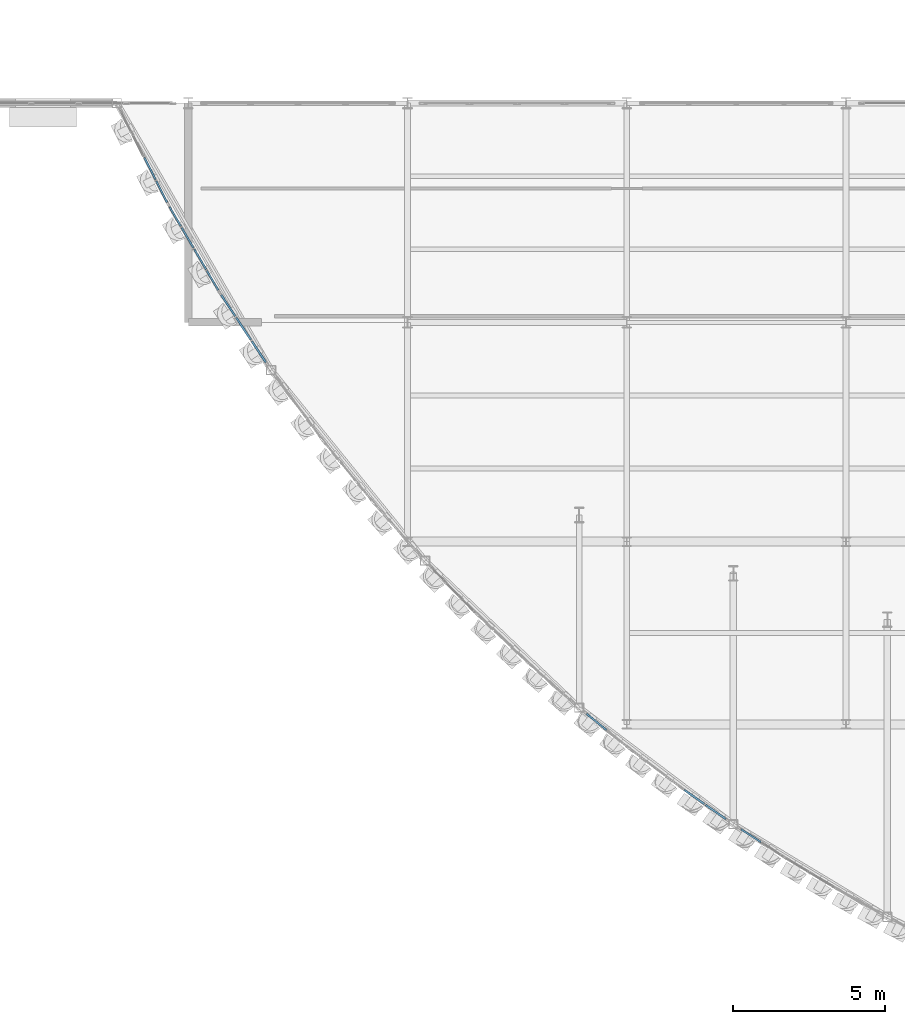
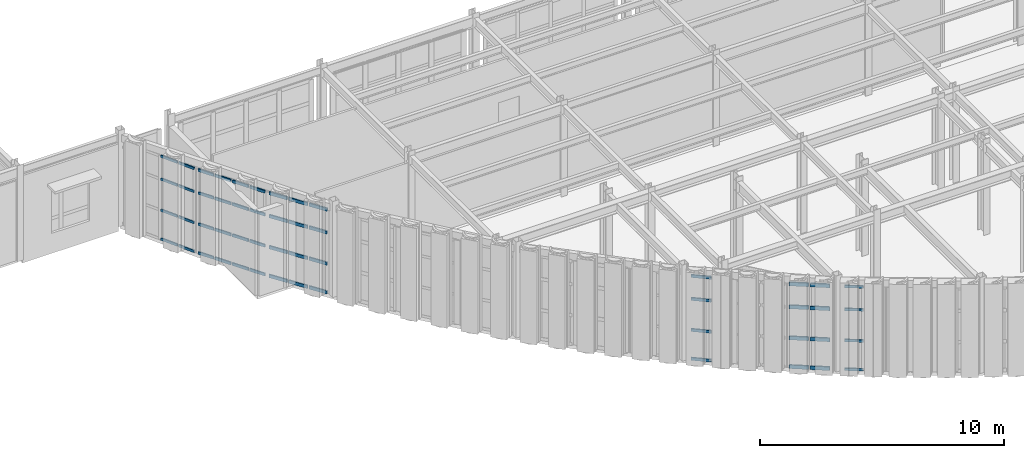
# One storey, part 64 of 121: 52 members, 6 elements without a shape of their own.
"""IFC4 building model written with IfcOpenShell, lengths in metres."""

import ifcopenshell
import ifcopenshell.guid

model = None  # the IFC model being written
_history = None  # IfcOwnerHistory: only IFC2X3 demands one
_inside = {}  # id of a spatial element -> (the spatial element, [elements in it])
_under = {}  # id of a project, library or spatial element -> (it, [spatial elements below it])
_declared = {}  # id of a project -> (the project, [libraries it declares])
_typed = {}  # id of a type object -> (the type object, [elements of that type])
_made_of = {}  # id of a material, layer set ... -> (it, [elements and type objects made of it])


def new_model(schema):
    """Start an empty IFC model of exactly this schema.

    Asked for "IFC4X3", IfcOpenShell would pick the latest addendum, in which some entities
    have other attributes; the version numbers below select the first issue.
    IFC2X3 requires an IfcOwnerHistory on every rooted entity: one is made here for all.
    """
    global model, _history
    if schema == "IFC4X3":
        model = ifcopenshell.file(schema_version=(4, 3, 0, 0))
    else:
        model = ifcopenshell.file(schema=schema)
    _inside.clear()
    _under.clear()
    _declared.clear()
    _typed.clear()
    _made_of.clear()
    _history = None
    if model.schema == "IFC2X3":
        org = make("IfcOrganization", Name="unknown")
        user = make(
            "IfcPersonAndOrganization",
            ThePerson=make("IfcPerson", FamilyName="unknown"),
            TheOrganization=org,
        )
        app = make(
            "IfcApplication",
            ApplicationDeveloper=org,
            Version="unknown",
            ApplicationFullName="unknown",
            ApplicationIdentifier="unknown",
        )
        _history = make(
            "IfcOwnerHistory",
            OwningUser=user,
            OwningApplication=app,
            ChangeAction="ADDED",
            CreationDate=0,
        )
    return model


def make(cls, **values):
    """One entity of the class cls with the attributes given. An attribute that is None is left unset."""
    return model.create_entity(
        cls, **{name: value for name, value in values.items() if value is not None}
    )


def rooted(cls, **values):
    """An entity with a GlobalId (a new one), such as an element, a storey or a relation."""
    return make(cls, GlobalId=ifcopenshell.guid.new(), OwnerHistory=_history, **values)


def si_unit(unit_type, name, prefix=None):
    """IfcSIUnit, for example si_unit("LENGTHUNIT", "METRE", prefix="MILLI")."""
    return make("IfcSIUnit", UnitType=unit_type, Prefix=prefix, Name=name)


def assignment(units):
    """IfcUnitAssignment: the units of a project."""
    return None if units is None else make("IfcUnitAssignment", Units=units)


def point(xyz):
    """IfcCartesianPoint."""
    return None if xyz is None else make("IfcCartesianPoint", Coordinates=xyz)


def direction(xyz):
    """IfcDirection."""
    return None if xyz is None else make("IfcDirection", DirectionRatios=xyz)


def frame(location, z_axis=None, x_axis=None):
    """IfcAxis2Placement3D, a coordinate frame: its origin and axes. An axis left out is left unset."""
    return make(
        "IfcAxis2Placement3D",
        Location=point(location),
        Axis=direction(z_axis),
        RefDirection=direction(x_axis),
    )


def frame_2d(location, x_axis=None):
    """IfcAxis2Placement2D, a coordinate frame in the plane: its origin and x axis."""
    return make(
        "IfcAxis2Placement2D", Location=point(location), RefDirection=direction(x_axis)
    )


def origin():
    """The frame at (0, 0, 0) with its axes left unset."""
    return frame((0.0, 0.0, 0.0))


def origin_2d():
    """The frame at (0, 0) in the plane with its x axis left unset."""
    return frame_2d((0.0, 0.0))


def place(relative_to, where):
    """IfcLocalPlacement: puts the frame where relative to a parent placement (None: the world)."""
    return make(
        "IfcLocalPlacement", PlacementRelTo=relative_to, RelativePlacement=where
    )


def context(
    kind, dimensions, precision=None, world=None, true_north=None, identifier=None
):
    """IfcGeometricRepresentationContext, for example the 3D "Model" context."""
    return make(
        "IfcGeometricRepresentationContext",
        ContextIdentifier=identifier,
        ContextType=kind,
        CoordinateSpaceDimension=dimensions,
        Precision=precision,
        WorldCoordinateSystem=world,
        TrueNorth=true_north,
    )


def subcontext(parent, identifier, kind, view, scale=None):
    """IfcGeometricRepresentationSubContext, for example "Body" below "Model"."""
    return make(
        "IfcGeometricRepresentationSubContext",
        ContextIdentifier=identifier,
        ContextType=kind,
        ParentContext=parent,
        TargetScale=scale,
        TargetView=view,
    )


def project(units=None, contexts=None):
    """IfcProject with its units and contexts."""
    return rooted(
        "IfcProject",
        Name="project",
        RepresentationContexts=contexts,
        UnitsInContext=assignment(units),
    )


def spatial(cls, under=None, at=None, **own):
    """A site, building, storey or space (cls), placed at a placement, below another one or the project."""
    s = rooted(cls, ObjectPlacement=at, **own)
    if under is not None:
        _under.setdefault(under.id(), (under, []))[1].append(s)
    return s


def profile(cls, at=None, kind="AREA", **sizes):
    """A parametric profile (cls). Its sizes go by their IFC names, for example OverallWidth=200.0."""
    return make(cls, ProfileType=kind, Position=at, **sizes)


def hollow_rectangle(**sizes):
    """IfcRectangleHollowProfileDef."""
    return profile("IfcRectangleHollowProfileDef", **sizes)


def extrude(swept, where, along, depth):
    """IfcExtrudedAreaSolid: the profile swept, set in the frame where, extruded along a direction by depth."""
    return make(
        "IfcExtrudedAreaSolid",
        SweptArea=swept,
        Position=where,
        ExtrudedDirection=direction(along),
        Depth=depth,
    )


def shape(context_of_items, identifier, shape_type, items):
    """IfcShapeRepresentation: the items that make up one representation, for example the "Body"."""
    return make(
        "IfcShapeRepresentation",
        ContextOfItems=context_of_items,
        RepresentationIdentifier=identifier,
        RepresentationType=shape_type,
        Items=items,
    )


def material(Name=None, Category=None):
    """IfcMaterial."""
    return make("IfcMaterial", Name=Name, Category=Category)


def layer(
    of_material, thickness, ventilated=None, Name=None, Category=None, Priority=None
):
    """IfcMaterialLayer: one layer of a wall or slab, of a material (None: an air gap)."""
    return make(
        "IfcMaterialLayer",
        Material=of_material,
        LayerThickness=thickness,
        IsVentilated=ventilated,
        Name=Name,
        Category=Category,
        Priority=Priority,
    )


def layer_set(layers, Name=None):
    """IfcMaterialLayerSet."""
    return make("IfcMaterialLayerSet", MaterialLayers=layers, LayerSetName=Name)


def material_profile(
    of_material, cross_section, Name=None, Category=None, Priority=None
):
    """IfcMaterialProfile: a cross section and its material."""
    return make(
        "IfcMaterialProfile",
        Name=Name,
        Material=of_material,
        Profile=cross_section,
        Priority=Priority,
        Category=Category,
    )


def profile_set(profiles, Name=None, composite=None):
    """IfcMaterialProfileSet."""
    return make(
        "IfcMaterialProfileSet",
        Name=Name,
        MaterialProfiles=profiles,
        CompositeProfile=composite,
    )


def made_of(thing, what):
    """Note that an element or type object is made of a material, layer set ...; save() writes the relation."""
    if what is not None:
        _made_of.setdefault(what.id(), (what, []))[1].append(thing)
    return thing


def type_object(cls, material=None, **own):
    """A type object (cls), such as IfcWallType, which elements share."""
    return made_of(rooted(cls, **own), material)


def element(
    cls,
    number,
    at=None,
    inside=None,
    cuts=None,
    type_object=None,
    material=None,
    context=None,
    identifier="Body",
    shape_type=None,
    held_by="IfcProductDefinitionShape",
    body=None,
    shapes=None,
    **own,
):
    """One element of the class cls, such as IfcWall. Its Tag is "e" and its number.

    at: its placement. inside: the storey or other place that contains it. cuts: it is an
    opening in that element (IfcRelVoidsElement). A single representation is given by context,
    identifier, shape_type and body (its items); several are given by shapes. held_by: the class
    of the entity that holds the representations. save() writes the other relations.
    """
    e = rooted(cls, Tag="e%d" % number, ObjectPlacement=at, **own)
    if body is not None:
        shapes = [shape(context, identifier, shape_type, body)]
    if shapes is not None:
        e.Representation = make(held_by, Representations=shapes)
    if inside is not None:
        _inside.setdefault(inside.id(), (inside, []))[1].append(e)
    if cuts is not None:
        rooted(
            "IfcRelVoidsElement", RelatingBuildingElement=cuts, RelatedOpeningElement=e
        )
    if type_object is not None:
        _typed.setdefault(type_object.id(), (type_object, []))[1].append(e)
    return made_of(e, material)


def aggregate(whole, parts):
    """IfcRelAggregates: a whole, such as a stair, and the parts it consists of."""
    return rooted("IfcRelAggregates", RelatingObject=whole, RelatedObjects=parts)


def save(model, path):
    """Write the relations noted so far, then the file.

    IfcRelAggregates (storeys below a building ...), IfcRelContainedInSpatialStructure (elements
    in a storey), IfcRelDefinesByType, IfcRelAssociatesMaterial and IfcRelDeclares: one each for
    every whole, place, type object, material and project.
    """
    for whole, parts in _under.values():
        aggregate(whole, parts)
    for where, things in _inside.values():
        rooted(
            "IfcRelContainedInSpatialStructure",
            RelatedElements=things,
            RelatingStructure=where,
        )
    for kind, things in _typed.values():
        rooted("IfcRelDefinesByType", RelatedObjects=things, RelatingType=kind)
    for what, things in _made_of.values():
        rooted("IfcRelAssociatesMaterial", RelatedObjects=things, RelatingMaterial=what)
    for by, libraries in _declared.values():
        rooted("IfcRelDeclares", RelatingContext=by, RelatedDefinitions=libraries)
    model.write(path)


model = new_model("IFC4")

# Units and contexts
model_context = context("Model", 3, precision=1e-05, world=origin(), true_north=direction((0.0, 1.0)))
body_context = subcontext(model_context, "Body", "Model", "MODEL_VIEW")
ifc_project = project(units=[si_unit("LENGTHUNIT", "METRE"), si_unit("AREAUNIT", "SQUARE_METRE"), si_unit("VOLUMEUNIT", "CUBIC_METRE"), si_unit("PLANEANGLEUNIT", "RADIAN"), si_unit("MASSUNIT", "GRAM", prefix="KILO")], contexts=[model_context])

# Site, building, storey
site_placement = place(None, origin())
site = spatial("IfcSite", under=ifc_project, at=site_placement, CompositionType="ELEMENT")
building_placement = place(site_placement, origin())
building = spatial("IfcBuilding", under=site, at=building_placement, Name="Solvadek Multi-Sports Hall", CompositionType="ELEMENT")
storey_placement = place(building_placement, frame((0.0, 0.0, 4.800048828125)))
storey = spatial("IfcBuildingStorey", under=building, at=storey_placement, Name="L01", CompositionType="ELEMENT", Elevation=4.800048828125)

# Curtain wall, members
ifc_material = material(Name="Anodised aluminium", Category="aluminium")
ifc_layer_1 = layer(ifc_material, 0.159912109375, Name="Anodised aluminium")
ifc_layer_set_1 = layer_set([ifc_layer_1], Name="Anodised aluminium")
curtain_wall_type_1 = type_object("IfcCurtainWallType", Name="ENV-CW-347X420", PredefinedType="USERDEFINED", material=ifc_layer_set_1)
curtain_wall_1_placement = place(storey_placement, origin())
curtain_wall_1 = element("IfcCurtainWall", 1, at=curtain_wall_1_placement, inside=storey, type_object=curtain_wall_type_1, Name="L01 Crescent Curved Curtain Wall #1", ObjectType="CURTAIN WALL", PredefinedType="USERDEFINED")
ifc_material_profile_1 = material_profile(ifc_material, hollow_rectangle(XDim=0.06005859375, YDim=0.1201171875, WallThickness=0.00390625, at=origin_2d()), Name="ALU-T 120x60x4")
ifc_profile_set_1 = profile_set([ifc_material_profile_1], Name="Anodised aluminium")
member_type_1 = type_object("IfcMemberType", Name="ENV-CWT-01", PredefinedType="USERDEFINED", material=ifc_profile_set_1)
member_1_placement = place(storey_placement, frame((27.359130859375, 18.61279296875, 0.030029296875), z_axis=(0.451447516904, -0.892297674255, 0.0), x_axis=(0.892297674255, 0.451447516904, 0.0)))
member_1 = element("IfcMember", 2, at=member_1_placement, type_object=member_type_1, Name="CW-01 transom 3.1", ObjectType="TRANSOM", PredefinedType="USERDEFINED", context=body_context, shape_type="SweptSolid", body=[
    extrude(hollow_rectangle(XDim=0.06005859375, YDim=0.1201171875, WallThickness=0.00390625, at=origin_2d()), origin(), (0.0, 0.0, 1.0), 0.806396484375),
])
member_2_placement = place(storey_placement, frame((27.359130859375, 18.61279296875, 1.469970703125), z_axis=(0.451447516904, -0.892297674255, 0.0), x_axis=(0.892297674255, 0.451447516904, 0.0)))
member_2 = element("IfcMember", 3, at=member_2_placement, type_object=member_type_1, Name="CW-01 transom 3.2", ObjectType="TRANSOM", PredefinedType="USERDEFINED", context=body_context, shape_type="SweptSolid", body=[
    extrude(hollow_rectangle(XDim=0.06005859375, YDim=0.1201171875, WallThickness=0.00390625, at=origin_2d()), origin(), (0.0, 0.0, 1.0), 0.806396484375),
])
member_3_placement = place(storey_placement, frame((27.359130859375, 18.61279296875, 3.02392578125), z_axis=(0.451447516904, -0.892297674255, 0.0), x_axis=(0.892297674255, 0.451447516904, 0.0)))
member_3 = element("IfcMember", 4, at=member_3_placement, type_object=member_type_1, Name="CW-01 transom 3.3", ObjectType="TRANSOM", PredefinedType="USERDEFINED", context=body_context, shape_type="SweptSolid", body=[
    extrude(hollow_rectangle(XDim=0.06005859375, YDim=0.1201171875, WallThickness=0.00390625, at=origin_2d()), origin(), (0.0, 0.0, 1.0), 0.806396484375),
])
member_4_placement = place(storey_placement, frame((27.359130859375, 18.61279296875, 4.169921875), z_axis=(0.451447516904, -0.892297674255, 0.0), x_axis=(0.892297674255, 0.451447516904, 0.0)))
member_4 = element("IfcMember", 5, at=member_4_placement, type_object=member_type_1, Name="CW-01 transom 3.4", ObjectType="TRANSOM", PredefinedType="USERDEFINED", context=body_context, shape_type="SweptSolid", body=[
    extrude(hollow_rectangle(XDim=0.06005859375, YDim=0.1201171875, WallThickness=0.00390625, at=origin_2d()), origin(), (0.0, 0.0, 1.0), 0.806396484375),
])
member_5_placement = place(storey_placement, frame((27.750244140625, 17.83984375, 0.030029296875), z_axis=(0.451484381787, -0.892279021944, 0.0), x_axis=(0.892279021944, 0.451484381787, 0.0)))
member_5 = element("IfcMember", 6, at=member_5_placement, type_object=member_type_1, Name="CW-01 transom 4.1", ObjectType="TRANSOM", PredefinedType="USERDEFINED", context=body_context, shape_type="SweptSolid", body=[
    extrude(hollow_rectangle(XDim=0.06005859375, YDim=0.1201171875, WallThickness=0.00390625, at=origin_2d()), origin(), (0.0, 0.0, 1.0), 0.776611328125),
])
member_6_placement = place(storey_placement, frame((27.750244140625, 17.83984375, 1.469970703125), z_axis=(0.451484381787, -0.892279021944, 0.0), x_axis=(0.892279021944, 0.451484381787, 0.0)))
member_6 = element("IfcMember", 7, at=member_6_placement, type_object=member_type_1, Name="CW-01 transom 4.2", ObjectType="TRANSOM", PredefinedType="USERDEFINED", context=body_context, shape_type="SweptSolid", body=[
    extrude(hollow_rectangle(XDim=0.06005859375, YDim=0.1201171875, WallThickness=0.00390625, at=origin_2d()), origin(), (0.0, 0.0, 1.0), 0.776611328125),
])
member_7_placement = place(storey_placement, frame((27.750244140625, 17.83984375, 3.02392578125), z_axis=(0.451484381787, -0.892279021944, 0.0), x_axis=(0.892279021944, 0.451484381787, 0.0)))
member_7 = element("IfcMember", 8, at=member_7_placement, type_object=member_type_1, Name="CW-01 transom 4.3", ObjectType="TRANSOM", PredefinedType="USERDEFINED", context=body_context, shape_type="SweptSolid", body=[
    extrude(hollow_rectangle(XDim=0.06005859375, YDim=0.1201171875, WallThickness=0.00390625, at=origin_2d()), origin(), (0.0, 0.0, 1.0), 0.776611328125),
])
member_8_placement = place(storey_placement, frame((27.750244140625, 17.83984375, 4.169921875), z_axis=(0.451484381787, -0.892279021944, 0.0), x_axis=(0.892279021944, 0.451484381787, 0.0)))
member_8 = element("IfcMember", 9, at=member_8_placement, type_object=member_type_1, Name="CW-01 transom 4.4", ObjectType="TRANSOM", PredefinedType="USERDEFINED", context=body_context, shape_type="SweptSolid", body=[
    extrude(hollow_rectangle(XDim=0.06005859375, YDim=0.1201171875, WallThickness=0.00390625, at=origin_2d()), origin(), (0.0, 0.0, 1.0), 0.776611328125),
])
aggregate(curtain_wall_1, [member_1, member_2, member_3, member_4, member_5, member_6, member_7, member_8])

ifc_layer_2 = layer(ifc_material, 0.159912109375, Name="Anodised aluminium")
ifc_layer_set_2 = layer_set([ifc_layer_2], Name="Anodised aluminium")
curtain_wall_type_2 = type_object("IfcCurtainWallType", Name="ENV-CW-174X420", PredefinedType="USERDEFINED", material=ifc_layer_set_2)
curtain_wall_2_placement = place(storey_placement, origin())
curtain_wall_2 = element("IfcCurtainWall", 10, at=curtain_wall_2_placement, inside=storey, type_object=curtain_wall_type_2, Name="L01 Crescent Curved Curtain Wall #25", ObjectType="CURTAIN WALL", PredefinedType="USERDEFINED")
member_9_placement = place(storey_placement, frame((46.952880859375, -3.4443359375, 0.030029296875), z_axis=(0.839078214165, -0.544010799997, 0.0), x_axis=(0.544010799997, 0.839078214165, 0.0)))
member_9 = element("IfcMember", 11, at=member_9_placement, type_object=member_type_1, Name="CW-12 transom 1.1", ObjectType="TRANSOM", PredefinedType="USERDEFINED", context=body_context, shape_type="SweptSolid", body=[
    extrude(hollow_rectangle(XDim=0.06005859375, YDim=0.1201171875, WallThickness=0.00390625, at=origin_2d()), origin(), (0.0, 0.0, 1.0), 0.772705078125),
])
member_10_placement = place(storey_placement, frame((46.952880859375, -3.4443359375, 1.469970703125), z_axis=(0.839078214165, -0.544010799997, 0.0), x_axis=(0.544010799997, 0.839078214165, 0.0)))
member_10 = element("IfcMember", 12, at=member_10_placement, type_object=member_type_1, Name="CW-12 transom 1.2", ObjectType="TRANSOM", PredefinedType="USERDEFINED", context=body_context, shape_type="SweptSolid", body=[
    extrude(hollow_rectangle(XDim=0.06005859375, YDim=0.1201171875, WallThickness=0.00390625, at=origin_2d()), origin(), (0.0, 0.0, 1.0), 0.772705078125),
])
member_11_placement = place(storey_placement, frame((46.952880859375, -3.4443359375, 3.02392578125), z_axis=(0.839078214165, -0.544010799997, 0.0), x_axis=(0.544010799997, 0.839078214165, 0.0)))
member_11 = element("IfcMember", 13, at=member_11_placement, type_object=member_type_1, Name="CW-12 transom 1.3", ObjectType="TRANSOM", PredefinedType="USERDEFINED", context=body_context, shape_type="SweptSolid", body=[
    extrude(hollow_rectangle(XDim=0.06005859375, YDim=0.1201171875, WallThickness=0.00390625, at=origin_2d()), origin(), (0.0, 0.0, 1.0), 0.772705078125),
])
member_12_placement = place(storey_placement, frame((46.952880859375, -3.4443359375, 4.169921875), z_axis=(0.839078214165, -0.544010799997, 0.0), x_axis=(0.544010799997, 0.839078214165, 0.0)))
member_12 = element("IfcMember", 14, at=member_12_placement, type_object=member_type_1, Name="CW-12 transom 1.4", ObjectType="TRANSOM", PredefinedType="USERDEFINED", context=body_context, shape_type="SweptSolid", body=[
    extrude(hollow_rectangle(XDim=0.06005859375, YDim=0.1201171875, WallThickness=0.00390625, at=origin_2d()), origin(), (0.0, 0.0, 1.0), 0.772705078125),
])
aggregate(curtain_wall_2, [member_9, member_10, member_11, member_12])

ifc_layer_3 = layer(ifc_material, 0.159912109375, Name="Anodised aluminium")
ifc_layer_set_3 = layer_set([ifc_layer_3], Name="Anodised aluminium")
curtain_wall_type_3 = type_object("IfcCurtainWallType", Name="ENV-CW-328X420", PredefinedType="USERDEFINED", material=ifc_layer_set_3)
curtain_wall_3_placement = place(storey_placement, origin())
curtain_wall_3 = element("IfcCurtainWall", 15, at=curtain_wall_3_placement, inside=storey, type_object=curtain_wall_type_3, Name="L01 Crescent Curved Curtain Wall #3", ObjectType="CURTAIN WALL", PredefinedType="USERDEFINED")
ifc_material_profile_2 = material_profile(ifc_material, hollow_rectangle(XDim=0.06005859375, YDim=0.139892578125, WallThickness=0.00390625, at=origin_2d()), Name="ALU-T 140x60x4")
ifc_profile_set_2 = profile_set([ifc_material_profile_2], Name="Anodised aluminium")
member_type_2 = type_object("IfcMemberType", Name="ENV-CWT-02", PredefinedType="USERDEFINED", material=ifc_profile_set_2)
member_13_placement = place(storey_placement, frame((28.18701171875, 16.989013671875, 0.030029296875), z_axis=(0.504972638568, -0.863135351088, 0.0), x_axis=(0.863135351088, 0.504972638568, 0.0)))
member_13 = element("IfcMember", 16, at=member_13_placement, type_object=member_type_2, Name="CW-02 transom 1.1", ObjectType="TRANSOM", PredefinedType="USERDEFINED", context=body_context, shape_type="SweptSolid", body=[
    extrude(hollow_rectangle(XDim=0.06005859375, YDim=0.139892578125, WallThickness=0.00390625, at=origin_2d()), origin(), (0.0, 0.0, 1.0), 0.72998046875),
])
member_14_placement = place(storey_placement, frame((28.18701171875, 16.989013671875, 1.469970703125), z_axis=(0.504972638568, -0.863135351088, 0.0), x_axis=(0.863135351088, 0.504972638568, 0.0)))
member_14 = element("IfcMember", 17, at=member_14_placement, type_object=member_type_2, Name="CW-02 transom 1.2", ObjectType="TRANSOM", PredefinedType="USERDEFINED", context=body_context, shape_type="SweptSolid", body=[
    extrude(hollow_rectangle(XDim=0.06005859375, YDim=0.139892578125, WallThickness=0.00390625, at=origin_2d()), origin(), (0.0, 0.0, 1.0), 0.72998046875),
])
member_15_placement = place(storey_placement, frame((28.18701171875, 16.989013671875, 3.02392578125), z_axis=(0.504972638568, -0.863135351088, 0.0), x_axis=(0.863135351088, 0.504972638568, 0.0)))
member_15 = element("IfcMember", 18, at=member_15_placement, type_object=member_type_2, Name="CW-02 transom 1.3", ObjectType="TRANSOM", PredefinedType="USERDEFINED", context=body_context, shape_type="SweptSolid", body=[
    extrude(hollow_rectangle(XDim=0.06005859375, YDim=0.139892578125, WallThickness=0.00390625, at=origin_2d()), origin(), (0.0, 0.0, 1.0), 0.72998046875),
])
member_16_placement = place(storey_placement, frame((28.18701171875, 16.989013671875, 4.169921875), z_axis=(0.504972638568, -0.863135351088, 0.0), x_axis=(0.863135351088, 0.504972638568, 0.0)))
member_16 = element("IfcMember", 19, at=member_16_placement, type_object=member_type_2, Name="CW-02 transom 1.4", ObjectType="TRANSOM", PredefinedType="USERDEFINED", context=body_context, shape_type="SweptSolid", body=[
    extrude(hollow_rectangle(XDim=0.06005859375, YDim=0.139892578125, WallThickness=0.00390625, at=origin_2d()), origin(), (0.0, 0.0, 1.0), 0.72998046875),
])
member_17_placement = place(storey_placement, frame((28.5859375, 16.306884765625, 0.030029296875), z_axis=(0.504969115133, -0.863137412445, 0.0), x_axis=(0.863137412445, 0.504969115133, 0.0)))
member_17 = element("IfcMember", 20, at=member_17_placement, type_object=member_type_2, Name="CW-02 transom 2.1", ObjectType="TRANSOM", PredefinedType="USERDEFINED", context=body_context, shape_type="SweptSolid", body=[
    extrude(hollow_rectangle(XDim=0.06005859375, YDim=0.139892578125, WallThickness=0.00390625, at=origin_2d()), origin(), (0.0, 0.0, 1.0), 0.760009765625),
])
member_18_placement = place(storey_placement, frame((28.5859375, 16.306884765625, 1.469970703125), z_axis=(0.504969115133, -0.863137412445, 0.0), x_axis=(0.863137412445, 0.504969115133, 0.0)))
member_18 = element("IfcMember", 21, at=member_18_placement, type_object=member_type_2, Name="CW-02 transom 2.2", ObjectType="TRANSOM", PredefinedType="USERDEFINED", context=body_context, shape_type="SweptSolid", body=[
    extrude(hollow_rectangle(XDim=0.06005859375, YDim=0.139892578125, WallThickness=0.00390625, at=origin_2d()), origin(), (0.0, 0.0, 1.0), 0.760009765625),
])
member_19_placement = place(storey_placement, frame((28.5859375, 16.306884765625, 3.02392578125), z_axis=(0.504969115133, -0.863137412445, 0.0), x_axis=(0.863137412445, 0.504969115133, 0.0)))
member_19 = element("IfcMember", 22, at=member_19_placement, type_object=member_type_2, Name="CW-02 transom 2.3", ObjectType="TRANSOM", PredefinedType="USERDEFINED", context=body_context, shape_type="SweptSolid", body=[
    extrude(hollow_rectangle(XDim=0.06005859375, YDim=0.139892578125, WallThickness=0.00390625, at=origin_2d()), origin(), (0.0, 0.0, 1.0), 0.760009765625),
])
member_20_placement = place(storey_placement, frame((28.5859375, 16.306884765625, 4.169921875), z_axis=(0.504969115133, -0.863137412445, 0.0), x_axis=(0.863137412445, 0.504969115133, 0.0)))
member_20 = element("IfcMember", 23, at=member_20_placement, type_object=member_type_2, Name="CW-02 transom 2.4", ObjectType="TRANSOM", PredefinedType="USERDEFINED", context=body_context, shape_type="SweptSolid", body=[
    extrude(hollow_rectangle(XDim=0.06005859375, YDim=0.139892578125, WallThickness=0.00390625, at=origin_2d()), origin(), (0.0, 0.0, 1.0), 0.760009765625),
])
member_21_placement = place(storey_placement, frame((29.0, 15.59912109375, 0.030029296875), z_axis=(0.504829137956, -0.863219289329, 0.0), x_axis=(0.863219289329, 0.504829137956, 0.0)))
member_21 = element("IfcMember", 24, at=member_21_placement, type_object=member_type_2, Name="CW-02 transom 3.1", ObjectType="TRANSOM", PredefinedType="USERDEFINED", context=body_context, shape_type="SweptSolid", body=[
    extrude(hollow_rectangle(XDim=0.06005859375, YDim=0.139892578125, WallThickness=0.00390625, at=origin_2d()), origin(), (0.0, 0.0, 1.0), 0.76025390625),
])
member_22_placement = place(storey_placement, frame((29.0, 15.59912109375, 1.469970703125), z_axis=(0.504829137956, -0.863219289329, 0.0), x_axis=(0.863219289329, 0.504829137956, 0.0)))
member_22 = element("IfcMember", 25, at=member_22_placement, type_object=member_type_2, Name="CW-02 transom 3.2", ObjectType="TRANSOM", PredefinedType="USERDEFINED", context=body_context, shape_type="SweptSolid", body=[
    extrude(hollow_rectangle(XDim=0.06005859375, YDim=0.139892578125, WallThickness=0.00390625, at=origin_2d()), origin(), (0.0, 0.0, 1.0), 0.76025390625),
])
member_23_placement = place(storey_placement, frame((29.0, 15.59912109375, 3.02392578125), z_axis=(0.504829137956, -0.863219289329, 0.0), x_axis=(0.863219289329, 0.504829137956, 0.0)))
member_23 = element("IfcMember", 26, at=member_23_placement, type_object=member_type_2, Name="CW-02 transom 3.3", ObjectType="TRANSOM", PredefinedType="USERDEFINED", context=body_context, shape_type="SweptSolid", body=[
    extrude(hollow_rectangle(XDim=0.06005859375, YDim=0.139892578125, WallThickness=0.00390625, at=origin_2d()), origin(), (0.0, 0.0, 1.0), 0.76025390625),
])
member_24_placement = place(storey_placement, frame((29.0, 15.59912109375, 4.169921875), z_axis=(0.504829137956, -0.863219289329, 0.0), x_axis=(0.863219289329, 0.504829137956, 0.0)))
member_24 = element("IfcMember", 27, at=member_24_placement, type_object=member_type_2, Name="CW-02 transom 3.4", ObjectType="TRANSOM", PredefinedType="USERDEFINED", context=body_context, shape_type="SweptSolid", body=[
    extrude(hollow_rectangle(XDim=0.06005859375, YDim=0.139892578125, WallThickness=0.00390625, at=origin_2d()), origin(), (0.0, 0.0, 1.0), 0.76025390625),
])
member_25_placement = place(storey_placement, frame((29.414306640625, 14.89111328125, 0.030029296875), z_axis=(0.504972638568, -0.863135351088, 0.0), x_axis=(0.863135351088, 0.504972638568, 0.0)))
member_25 = element("IfcMember", 28, at=member_25_placement, type_object=member_type_2, Name="CW-02 transom 4.1", ObjectType="TRANSOM", PredefinedType="USERDEFINED", context=body_context, shape_type="SweptSolid", body=[
    extrude(hollow_rectangle(XDim=0.06005859375, YDim=0.139892578125, WallThickness=0.00390625, at=origin_2d()), origin(), (0.0, 0.0, 1.0), 0.72998046875),
])
member_26_placement = place(storey_placement, frame((29.414306640625, 14.89111328125, 1.469970703125), z_axis=(0.504972638568, -0.863135351088, 0.0), x_axis=(0.863135351088, 0.504972638568, 0.0)))
member_26 = element("IfcMember", 29, at=member_26_placement, type_object=member_type_2, Name="CW-02 transom 4.2", ObjectType="TRANSOM", PredefinedType="USERDEFINED", context=body_context, shape_type="SweptSolid", body=[
    extrude(hollow_rectangle(XDim=0.06005859375, YDim=0.139892578125, WallThickness=0.00390625, at=origin_2d()), origin(), (0.0, 0.0, 1.0), 0.72998046875),
])
member_27_placement = place(storey_placement, frame((29.414306640625, 14.89111328125, 3.02392578125), z_axis=(0.504972638568, -0.863135351088, 0.0), x_axis=(0.863135351088, 0.504972638568, 0.0)))
member_27 = element("IfcMember", 30, at=member_27_placement, type_object=member_type_2, Name="CW-02 transom 4.3", ObjectType="TRANSOM", PredefinedType="USERDEFINED", context=body_context, shape_type="SweptSolid", body=[
    extrude(hollow_rectangle(XDim=0.06005859375, YDim=0.139892578125, WallThickness=0.00390625, at=origin_2d()), origin(), (0.0, 0.0, 1.0), 0.72998046875),
])
member_28_placement = place(storey_placement, frame((29.414306640625, 14.89111328125, 4.169921875), z_axis=(0.504972638568, -0.863135351088, 0.0), x_axis=(0.863135351088, 0.504972638568, 0.0)))
member_28 = element("IfcMember", 31, at=member_28_placement, type_object=member_type_2, Name="CW-02 transom 4.4", ObjectType="TRANSOM", PredefinedType="USERDEFINED", context=body_context, shape_type="SweptSolid", body=[
    extrude(hollow_rectangle(XDim=0.06005859375, YDim=0.139892578125, WallThickness=0.00390625, at=origin_2d()), origin(), (0.0, 0.0, 1.0), 0.72998046875),
])
aggregate(curtain_wall_3, [member_13, member_14, member_15, member_16, member_17, member_18, member_19, member_20, member_21, member_22, member_23, member_24, member_25, member_26, member_27, member_28])

ifc_layer_4 = layer(ifc_material, 0.159912109375, Name="Anodised aluminium")
ifc_layer_set_4 = layer_set([ifc_layer_4], Name="Anodised aluminium")
curtain_wall_type_4 = type_object("IfcCurtainWallType", Name="ENV-CW-190X420", PredefinedType="USERDEFINED", material=ifc_layer_set_4)
curtain_wall_4_placement = place(storey_placement, origin())
curtain_wall_4 = element("IfcCurtainWall", 32, at=curtain_wall_4_placement, inside=storey, type_object=curtain_wall_type_4, Name="L01 Crescent Curved Curtain Wall #19", ObjectType="CURTAIN WALL", PredefinedType="USERDEFINED")
member_29_placement = place(storey_placement, frame((41.876953125, 0.349609375, 0.030029296875), z_axis=(0.775726024221, -0.631069833969, 0.0), x_axis=(0.631069833969, 0.775726024221, 0.0)))
member_29 = element("IfcMember", 33, at=member_29_placement, type_object=member_type_2, Name="CW-09 transom 1.1", ObjectType="TRANSOM", PredefinedType="USERDEFINED", context=body_context, shape_type="SweptSolid", body=[
    extrude(hollow_rectangle(XDim=0.06005859375, YDim=0.139892578125, WallThickness=0.00390625, at=origin_2d()), origin(), (0.0, 0.0, 1.0), 0.84716796875),
])
member_30_placement = place(storey_placement, frame((41.876953125, 0.349609375, 1.469970703125), z_axis=(0.775726024221, -0.631069833969, 0.0), x_axis=(0.631069833969, 0.775726024221, 0.0)))
member_30 = element("IfcMember", 34, at=member_30_placement, type_object=member_type_2, Name="CW-09 transom 1.2", ObjectType="TRANSOM", PredefinedType="USERDEFINED", context=body_context, shape_type="SweptSolid", body=[
    extrude(hollow_rectangle(XDim=0.06005859375, YDim=0.139892578125, WallThickness=0.00390625, at=origin_2d()), origin(), (0.0, 0.0, 1.0), 0.84716796875),
])
member_31_placement = place(storey_placement, frame((41.876953125, 0.349609375, 3.02392578125), z_axis=(0.775726024221, -0.631069833969, 0.0), x_axis=(0.631069833969, 0.775726024221, 0.0)))
member_31 = element("IfcMember", 35, at=member_31_placement, type_object=member_type_2, Name="CW-09 transom 1.3", ObjectType="TRANSOM", PredefinedType="USERDEFINED", context=body_context, shape_type="SweptSolid", body=[
    extrude(hollow_rectangle(XDim=0.06005859375, YDim=0.139892578125, WallThickness=0.00390625, at=origin_2d()), origin(), (0.0, 0.0, 1.0), 0.84716796875),
])
member_32_placement = place(storey_placement, frame((41.876953125, 0.349609375, 4.169921875), z_axis=(0.775726024221, -0.631069833969, 0.0), x_axis=(0.631069833969, 0.775726024221, 0.0)))
member_32 = element("IfcMember", 36, at=member_32_placement, type_object=member_type_2, Name="CW-09 transom 1.4", ObjectType="TRANSOM", PredefinedType="USERDEFINED", context=body_context, shape_type="SweptSolid", body=[
    extrude(hollow_rectangle(XDim=0.06005859375, YDim=0.139892578125, WallThickness=0.00390625, at=origin_2d()), origin(), (0.0, 0.0, 1.0), 0.84716796875),
])
aggregate(curtain_wall_4, [member_29, member_30, member_31, member_32])

ifc_layer_5 = layer(ifc_material, 0.159912109375, Name="Anodised aluminium")
ifc_layer_set_5 = layer_set([ifc_layer_5], Name="Anodised aluminium")
curtain_wall_type_5 = type_object("IfcCurtainWallType", Name="ENV-CW-279X420", PredefinedType="USERDEFINED", material=ifc_layer_set_5)
curtain_wall_5_placement = place(storey_placement, origin())
curtain_wall_5 = element("IfcCurtainWall", 37, at=curtain_wall_5_placement, inside=storey, type_object=curtain_wall_type_5, Name="L01 Crescent Curved Curtain Wall #5", ObjectType="CURTAIN WALL", PredefinedType="USERDEFINED")
ifc_material_profile_3 = material_profile(ifc_material, hollow_rectangle(XDim=0.06494140625, YDim=0.159912109375, WallThickness=0.00390625, at=origin_2d()), Name="ALU-T 160x65x4")
ifc_profile_set_3 = profile_set([ifc_material_profile_3], Name="Anodised aluminium")
member_type_3 = type_object("IfcMemberType", Name="ENV-CWT-03", PredefinedType="USERDEFINED", material=ifc_profile_set_3)
member_33_placement = place(storey_placement, frame((29.880615234375, 14.10400390625, 0.032470703125), z_axis=(0.551716826377, -0.8340315003, 0.0), x_axis=(0.8340315003, 0.551716826377, 0.0)))
member_33 = element("IfcMember", 38, at=member_33_placement, type_object=member_type_3, Name="CW-03 transom 1.1", ObjectType="TRANSOM", PredefinedType="USERDEFINED", context=body_context, shape_type="SweptSolid", body=[
    extrude(hollow_rectangle(XDim=0.06494140625, YDim=0.159912109375, WallThickness=0.00390625, at=origin_2d()), origin(), (0.0, 0.0, 1.0), 0.83203125),
])
member_34_placement = place(storey_placement, frame((29.880615234375, 14.10400390625, 1.469970703125), z_axis=(0.551716826377, -0.8340315003, 0.0), x_axis=(0.8340315003, 0.551716826377, 0.0)))
member_34 = element("IfcMember", 39, at=member_34_placement, type_object=member_type_3, Name="CW-03 transom 1.2", ObjectType="TRANSOM", PredefinedType="USERDEFINED", context=body_context, shape_type="SweptSolid", body=[
    extrude(hollow_rectangle(XDim=0.06494140625, YDim=0.159912109375, WallThickness=0.00390625, at=origin_2d()), origin(), (0.0, 0.0, 1.0), 0.83203125),
])
member_35_placement = place(storey_placement, frame((29.880615234375, 14.10400390625, 3.02392578125), z_axis=(0.551716826377, -0.8340315003, 0.0), x_axis=(0.8340315003, 0.551716826377, 0.0)))
member_35 = element("IfcMember", 40, at=member_35_placement, type_object=member_type_3, Name="CW-03 transom 1.3", ObjectType="TRANSOM", PredefinedType="USERDEFINED", context=body_context, shape_type="SweptSolid", body=[
    extrude(hollow_rectangle(XDim=0.06494140625, YDim=0.159912109375, WallThickness=0.00390625, at=origin_2d()), origin(), (0.0, 0.0, 1.0), 0.83203125),
])
member_36_placement = place(storey_placement, frame((29.880615234375, 14.10400390625, 4.16748046875), z_axis=(0.551716826377, -0.8340315003, 0.0), x_axis=(0.8340315003, 0.551716826377, 0.0)))
member_36 = element("IfcMember", 41, at=member_36_placement, type_object=member_type_3, Name="CW-03 transom 1.4", ObjectType="TRANSOM", PredefinedType="USERDEFINED", context=body_context, shape_type="SweptSolid", body=[
    extrude(hollow_rectangle(XDim=0.06494140625, YDim=0.159912109375, WallThickness=0.00390625, at=origin_2d()), origin(), (0.0, 0.0, 1.0), 0.83203125),
])
member_37_placement = place(storey_placement, frame((30.37548828125, 13.35595703125, 0.032470703125), z_axis=(0.551632895475, -0.834087015023, 0.0), x_axis=(0.834087015023, 0.551632895475, 0.0)))
member_37 = element("IfcMember", 42, at=member_37_placement, type_object=member_type_3, Name="CW-03 transom 2.1", ObjectType="TRANSOM", PredefinedType="USERDEFINED", context=body_context, shape_type="SweptSolid", body=[
    extrude(hollow_rectangle(XDim=0.06494140625, YDim=0.159912109375, WallThickness=0.00390625, at=origin_2d()), origin(), (0.0, 0.0, 1.0), 0.8642578125),
])
member_38_placement = place(storey_placement, frame((30.37548828125, 13.35595703125, 1.469970703125), z_axis=(0.551632895475, -0.834087015023, 0.0), x_axis=(0.834087015023, 0.551632895475, 0.0)))
member_38 = element("IfcMember", 43, at=member_38_placement, type_object=member_type_3, Name="CW-03 transom 2.2", ObjectType="TRANSOM", PredefinedType="USERDEFINED", context=body_context, shape_type="SweptSolid", body=[
    extrude(hollow_rectangle(XDim=0.06494140625, YDim=0.159912109375, WallThickness=0.00390625, at=origin_2d()), origin(), (0.0, 0.0, 1.0), 0.8642578125),
])
member_39_placement = place(storey_placement, frame((30.37548828125, 13.35595703125, 3.02392578125), z_axis=(0.551632895475, -0.834087015023, 0.0), x_axis=(0.834087015023, 0.551632895475, 0.0)))
member_39 = element("IfcMember", 44, at=member_39_placement, type_object=member_type_3, Name="CW-03 transom 2.3", ObjectType="TRANSOM", PredefinedType="USERDEFINED", context=body_context, shape_type="SweptSolid", body=[
    extrude(hollow_rectangle(XDim=0.06494140625, YDim=0.159912109375, WallThickness=0.00390625, at=origin_2d()), origin(), (0.0, 0.0, 1.0), 0.8642578125),
])
member_40_placement = place(storey_placement, frame((30.37548828125, 13.35595703125, 4.16748046875), z_axis=(0.551632895475, -0.834087015023, 0.0), x_axis=(0.834087015023, 0.551632895475, 0.0)))
member_40 = element("IfcMember", 45, at=member_40_placement, type_object=member_type_3, Name="CW-03 transom 2.4", ObjectType="TRANSOM", PredefinedType="USERDEFINED", context=body_context, shape_type="SweptSolid", body=[
    extrude(hollow_rectangle(XDim=0.06494140625, YDim=0.159912109375, WallThickness=0.00390625, at=origin_2d()), origin(), (0.0, 0.0, 1.0), 0.8642578125),
])
member_41_placement = place(storey_placement, frame((30.887939453125, 12.580810546875, 0.032470703125), z_axis=(0.551581813863, -0.834120796177, 0.0), x_axis=(0.834120796177, 0.551581813863, 0.0)))
member_41 = element("IfcMember", 46, at=member_41_placement, type_object=member_type_3, Name="CW-03 transom 3.1", ObjectType="TRANSOM", PredefinedType="USERDEFINED", context=body_context, shape_type="SweptSolid", body=[
    extrude(hollow_rectangle(XDim=0.06494140625, YDim=0.159912109375, WallThickness=0.00390625, at=origin_2d()), origin(), (0.0, 0.0, 1.0), 0.83203125),
])
member_42_placement = place(storey_placement, frame((30.887939453125, 12.580810546875, 1.469970703125), z_axis=(0.551581813863, -0.834120796177, 0.0), x_axis=(0.834120796177, 0.551581813863, 0.0)))
member_42 = element("IfcMember", 47, at=member_42_placement, type_object=member_type_3, Name="CW-03 transom 3.2", ObjectType="TRANSOM", PredefinedType="USERDEFINED", context=body_context, shape_type="SweptSolid", body=[
    extrude(hollow_rectangle(XDim=0.06494140625, YDim=0.159912109375, WallThickness=0.00390625, at=origin_2d()), origin(), (0.0, 0.0, 1.0), 0.83203125),
])
member_43_placement = place(storey_placement, frame((30.887939453125, 12.580810546875, 3.02392578125), z_axis=(0.551581813863, -0.834120796177, 0.0), x_axis=(0.834120796177, 0.551581813863, 0.0)))
member_43 = element("IfcMember", 48, at=member_43_placement, type_object=member_type_3, Name="CW-03 transom 3.3", ObjectType="TRANSOM", PredefinedType="USERDEFINED", context=body_context, shape_type="SweptSolid", body=[
    extrude(hollow_rectangle(XDim=0.06494140625, YDim=0.159912109375, WallThickness=0.00390625, at=origin_2d()), origin(), (0.0, 0.0, 1.0), 0.83203125),
])
member_44_placement = place(storey_placement, frame((30.887939453125, 12.580810546875, 4.16748046875), z_axis=(0.551581813863, -0.834120796177, 0.0), x_axis=(0.834120796177, 0.551581813863, 0.0)))
member_44 = element("IfcMember", 49, at=member_44_placement, type_object=member_type_3, Name="CW-03 transom 3.4", ObjectType="TRANSOM", PredefinedType="USERDEFINED", context=body_context, shape_type="SweptSolid", body=[
    extrude(hollow_rectangle(XDim=0.06494140625, YDim=0.159912109375, WallThickness=0.00390625, at=origin_2d()), origin(), (0.0, 0.0, 1.0), 0.83203125),
])
aggregate(curtain_wall_5, [member_33, member_34, member_35, member_36, member_37, member_38, member_39, member_40, member_41, member_42, member_43, member_44])

ifc_layer_6 = layer(ifc_material, 0.159912109375, Name="Anodised aluminium")
ifc_layer_set_6 = layer_set([ifc_layer_6], Name="Anodised aluminium")
curtain_wall_type_6 = type_object("IfcCurtainWallType", Name="ENV-CW-179X420", PredefinedType="USERDEFINED", material=ifc_layer_set_6)
curtain_wall_6_placement = place(storey_placement, origin())
curtain_wall_6 = element("IfcCurtainWall", 50, at=curtain_wall_6_placement, inside=storey, type_object=curtain_wall_type_6, Name="L01 Crescent Curved Curtain Wall #23", ObjectType="CURTAIN WALL", PredefinedType="USERDEFINED")
ifc_material_profile_4 = material_profile(ifc_material, hollow_rectangle(XDim=0.06494140625, YDim=0.179931640625, WallThickness=0.0048828125, at=origin_2d()), Name="ALU-T 180x65x5")
ifc_profile_set_4 = profile_set([ifc_material_profile_4], Name="Anodised aluminium")
member_type_4 = type_object("IfcMemberType", Name="ENV-CWT-04", PredefinedType="USERDEFINED", material=ifc_profile_set_4)
member_45_placement = place(storey_placement, frame((45.083984375, -2.150390625, 0.032470703125), z_axis=(0.819559894882, -0.572993524136, 0.0), x_axis=(0.572993524136, 0.819559894882, 0.0)))
member_45 = element("IfcMember", 51, at=member_45_placement, type_object=member_type_4, Name="CW-11 transom 1.1", ObjectType="TRANSOM", PredefinedType="USERDEFINED", context=body_context, shape_type="SweptSolid", body=[
    extrude(hollow_rectangle(XDim=0.06494140625, YDim=0.179931640625, WallThickness=0.0048828125, at=origin_2d()), origin(), (0.0, 0.0, 1.0), 0.803955078125),
])
member_46_placement = place(storey_placement, frame((45.083984375, -2.150390625, 1.469970703125), z_axis=(0.819559894882, -0.572993524136, 0.0), x_axis=(0.572993524136, 0.819559894882, 0.0)))
member_46 = element("IfcMember", 52, at=member_46_placement, type_object=member_type_4, Name="CW-11 transom 1.2", ObjectType="TRANSOM", PredefinedType="USERDEFINED", context=body_context, shape_type="SweptSolid", body=[
    extrude(hollow_rectangle(XDim=0.06494140625, YDim=0.179931640625, WallThickness=0.0048828125, at=origin_2d()), origin(), (0.0, 0.0, 1.0), 0.803955078125),
])
member_47_placement = place(storey_placement, frame((45.083984375, -2.150390625, 3.02392578125), z_axis=(0.819559894882, -0.572993524136, 0.0), x_axis=(0.572993524136, 0.819559894882, 0.0)))
member_47 = element("IfcMember", 53, at=member_47_placement, type_object=member_type_4, Name="CW-11 transom 1.3", ObjectType="TRANSOM", PredefinedType="USERDEFINED", context=body_context, shape_type="SweptSolid", body=[
    extrude(hollow_rectangle(XDim=0.06494140625, YDim=0.179931640625, WallThickness=0.0048828125, at=origin_2d()), origin(), (0.0, 0.0, 1.0), 0.803955078125),
])
member_48_placement = place(storey_placement, frame((45.083984375, -2.150390625, 4.16748046875), z_axis=(0.819559894882, -0.572993524136, 0.0), x_axis=(0.572993524136, 0.819559894882, 0.0)))
member_48 = element("IfcMember", 54, at=member_48_placement, type_object=member_type_4, Name="CW-11 transom 1.4", ObjectType="TRANSOM", PredefinedType="USERDEFINED", context=body_context, shape_type="SweptSolid", body=[
    extrude(hollow_rectangle(XDim=0.06494140625, YDim=0.179931640625, WallThickness=0.0048828125, at=origin_2d()), origin(), (0.0, 0.0, 1.0), 0.803955078125),
])
member_49_placement = place(storey_placement, frame((45.7919921875, -2.6455078125, 0.032470703125), z_axis=(0.819517010317, -0.573054857585, 0.0), x_axis=(0.573054857585, 0.819517010317, 0.0)))
member_49 = element("IfcMember", 55, at=member_49_placement, type_object=member_type_4, Name="CW-11 transom 2.1", ObjectType="TRANSOM", PredefinedType="USERDEFINED", context=body_context, shape_type="SweptSolid", body=[
    extrude(hollow_rectangle(XDim=0.06494140625, YDim=0.179931640625, WallThickness=0.0048828125, at=origin_2d()), origin(), (0.0, 0.0, 1.0), 0.804443359375),
])
member_50_placement = place(storey_placement, frame((45.7919921875, -2.6455078125, 1.469970703125), z_axis=(0.819517010317, -0.573054857585, 0.0), x_axis=(0.573054857585, 0.819517010317, 0.0)))
member_50 = element("IfcMember", 56, at=member_50_placement, type_object=member_type_4, Name="CW-11 transom 2.2", ObjectType="TRANSOM", PredefinedType="USERDEFINED", context=body_context, shape_type="SweptSolid", body=[
    extrude(hollow_rectangle(XDim=0.06494140625, YDim=0.179931640625, WallThickness=0.0048828125, at=origin_2d()), origin(), (0.0, 0.0, 1.0), 0.804443359375),
])
member_51_placement = place(storey_placement, frame((45.7919921875, -2.6455078125, 3.02392578125), z_axis=(0.819517010317, -0.573054857585, 0.0), x_axis=(0.573054857585, 0.819517010317, 0.0)))
member_51 = element("IfcMember", 57, at=member_51_placement, type_object=member_type_4, Name="CW-11 transom 2.3", ObjectType="TRANSOM", PredefinedType="USERDEFINED", context=body_context, shape_type="SweptSolid", body=[
    extrude(hollow_rectangle(XDim=0.06494140625, YDim=0.179931640625, WallThickness=0.0048828125, at=origin_2d()), origin(), (0.0, 0.0, 1.0), 0.804443359375),
])
member_52_placement = place(storey_placement, frame((45.7919921875, -2.6455078125, 4.16748046875), z_axis=(0.819517010317, -0.573054857585, 0.0), x_axis=(0.573054857585, 0.819517010317, 0.0)))
member_52 = element("IfcMember", 58, at=member_52_placement, type_object=member_type_4, Name="CW-11 transom 2.4", ObjectType="TRANSOM", PredefinedType="USERDEFINED", context=body_context, shape_type="SweptSolid", body=[
    extrude(hollow_rectangle(XDim=0.06494140625, YDim=0.179931640625, WallThickness=0.0048828125, at=origin_2d()), origin(), (0.0, 0.0, 1.0), 0.804443359375),
])
aggregate(curtain_wall_6, [member_45, member_46, member_47, member_48, member_49, member_50, member_51, member_52])

save(model, "model.ifc")
